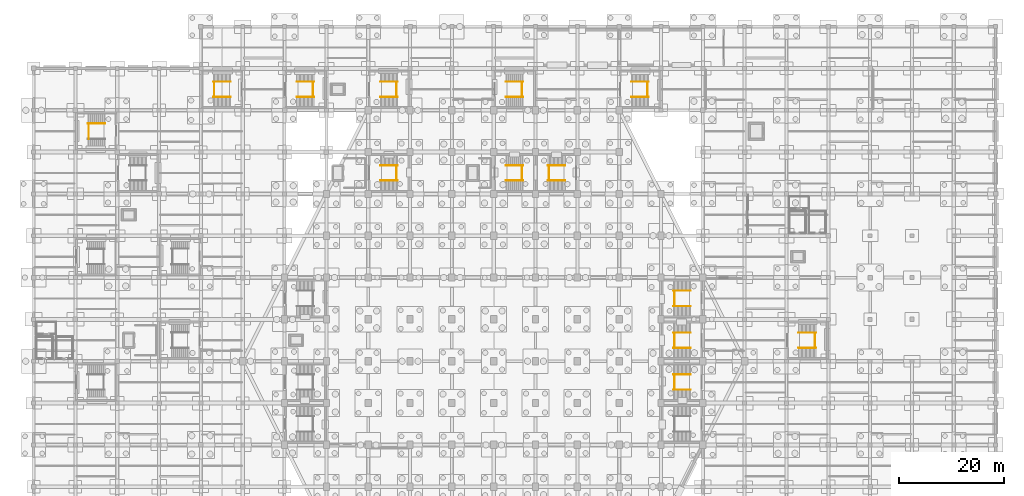
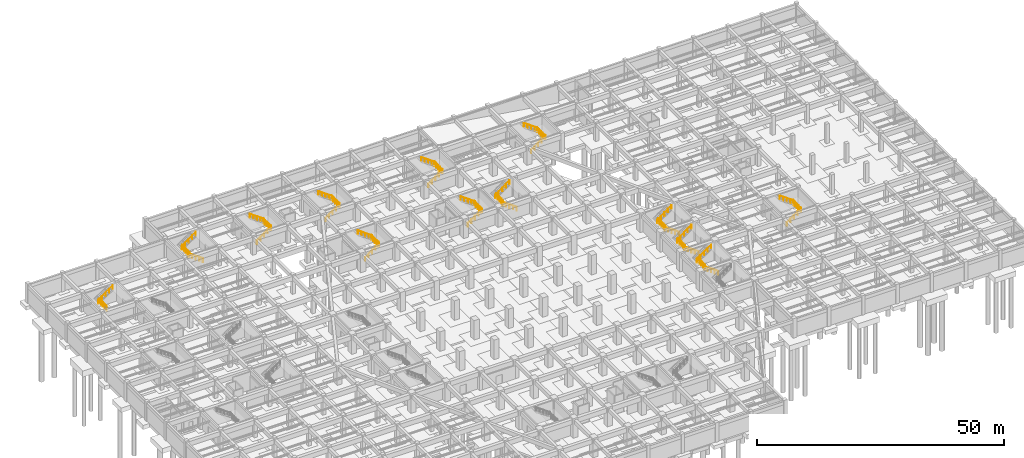
# One storey, part 35 of 36: 38 railings.
"""IFC4 building model written with IfcOpenShell, lengths in metres."""

import ifcopenshell
import ifcopenshell.guid

model = None  # the IFC model being written
_history = None  # IfcOwnerHistory: only IFC2X3 demands one
_inside = {}  # id of a spatial element -> (the spatial element, [elements in it])
_under = {}  # id of a project, library or spatial element -> (it, [spatial elements below it])
_declared = {}  # id of a project -> (the project, [libraries it declares])
_typed = {}  # id of a type object -> (the type object, [elements of that type])
_made_of = {}  # id of a material, layer set ... -> (it, [elements and type objects made of it])


def new_model(schema):
    """Start an empty IFC model of exactly this schema.

    Asked for "IFC4X3", IfcOpenShell would pick the latest addendum, in which some entities
    have other attributes; the version numbers below select the first issue.
    IFC2X3 requires an IfcOwnerHistory on every rooted entity: one is made here for all.
    """
    global model, _history
    if schema == "IFC4X3":
        model = ifcopenshell.file(schema_version=(4, 3, 0, 0))
    else:
        model = ifcopenshell.file(schema=schema)
    _inside.clear()
    _under.clear()
    _declared.clear()
    _typed.clear()
    _made_of.clear()
    _history = None
    if model.schema == "IFC2X3":
        org = make("IfcOrganization", Name="unknown")
        user = make(
            "IfcPersonAndOrganization",
            ThePerson=make("IfcPerson", FamilyName="unknown"),
            TheOrganization=org,
        )
        app = make(
            "IfcApplication",
            ApplicationDeveloper=org,
            Version="unknown",
            ApplicationFullName="unknown",
            ApplicationIdentifier="unknown",
        )
        _history = make(
            "IfcOwnerHistory",
            OwningUser=user,
            OwningApplication=app,
            ChangeAction="ADDED",
            CreationDate=0,
        )
    return model


def make(cls, **values):
    """One entity of the class cls with the attributes given. An attribute that is None is left unset."""
    return model.create_entity(
        cls, **{name: value for name, value in values.items() if value is not None}
    )


def rooted(cls, **values):
    """An entity with a GlobalId (a new one), such as an element, a storey or a relation."""
    return make(cls, GlobalId=ifcopenshell.guid.new(), OwnerHistory=_history, **values)


def si_unit(unit_type, name, prefix=None):
    """IfcSIUnit, for example si_unit("LENGTHUNIT", "METRE", prefix="MILLI")."""
    return make("IfcSIUnit", UnitType=unit_type, Prefix=prefix, Name=name)


def assignment(units):
    """IfcUnitAssignment: the units of a project."""
    return None if units is None else make("IfcUnitAssignment", Units=units)


def point(xyz):
    """IfcCartesianPoint."""
    return None if xyz is None else make("IfcCartesianPoint", Coordinates=xyz)


def direction(xyz):
    """IfcDirection."""
    return None if xyz is None else make("IfcDirection", DirectionRatios=xyz)


def frame(location, z_axis=None, x_axis=None):
    """IfcAxis2Placement3D, a coordinate frame: its origin and axes. An axis left out is left unset."""
    return make(
        "IfcAxis2Placement3D",
        Location=point(location),
        Axis=direction(z_axis),
        RefDirection=direction(x_axis),
    )


def frame_2d(location, x_axis=None):
    """IfcAxis2Placement2D, a coordinate frame in the plane: its origin and x axis."""
    return make(
        "IfcAxis2Placement2D", Location=point(location), RefDirection=direction(x_axis)
    )


def origin():
    """The frame at (0, 0, 0) with its axes left unset."""
    return frame((0.0, 0.0, 0.0))


def origin_2d():
    """The frame at (0, 0) in the plane with its x axis left unset."""
    return frame_2d((0.0, 0.0))


def place(relative_to, where):
    """IfcLocalPlacement: puts the frame where relative to a parent placement (None: the world)."""
    return make(
        "IfcLocalPlacement", PlacementRelTo=relative_to, RelativePlacement=where
    )


def context(
    kind, dimensions, precision=None, world=None, true_north=None, identifier=None
):
    """IfcGeometricRepresentationContext, for example the 3D "Model" context."""
    return make(
        "IfcGeometricRepresentationContext",
        ContextIdentifier=identifier,
        ContextType=kind,
        CoordinateSpaceDimension=dimensions,
        Precision=precision,
        WorldCoordinateSystem=world,
        TrueNorth=true_north,
    )


def subcontext(parent, identifier, kind, view, scale=None):
    """IfcGeometricRepresentationSubContext, for example "Body" below "Model"."""
    return make(
        "IfcGeometricRepresentationSubContext",
        ContextIdentifier=identifier,
        ContextType=kind,
        ParentContext=parent,
        TargetScale=scale,
        TargetView=view,
    )


def project(units=None, contexts=None):
    """IfcProject with its units and contexts."""
    return rooted(
        "IfcProject",
        Name="project",
        RepresentationContexts=contexts,
        UnitsInContext=assignment(units),
    )


def spatial(cls, under=None, at=None, **own):
    """A site, building, storey or space (cls), placed at a placement, below another one or the project."""
    s = rooted(cls, ObjectPlacement=at, **own)
    if under is not None:
        _under.setdefault(under.id(), (under, []))[1].append(s)
    return s


def profile(cls, at=None, kind="AREA", **sizes):
    """A parametric profile (cls). Its sizes go by their IFC names, for example OverallWidth=200.0."""
    return make(cls, ProfileType=kind, Position=at, **sizes)


def circle(**sizes):
    """IfcCircleProfileDef."""
    return profile("IfcCircleProfileDef", **sizes)


def extrude(swept, where, along, depth):
    """IfcExtrudedAreaSolid: the profile swept, set in the frame where, extruded along a direction by depth."""
    return make(
        "IfcExtrudedAreaSolid",
        SweptArea=swept,
        Position=where,
        ExtrudedDirection=direction(along),
        Depth=depth,
    )


def shape(context_of_items, identifier, shape_type, items):
    """IfcShapeRepresentation: the items that make up one representation, for example the "Body"."""
    return make(
        "IfcShapeRepresentation",
        ContextOfItems=context_of_items,
        RepresentationIdentifier=identifier,
        RepresentationType=shape_type,
        Items=items,
    )


def material(Name=None, Category=None):
    """IfcMaterial."""
    return make("IfcMaterial", Name=Name, Category=Category)


def made_of(thing, what):
    """Note that an element or type object is made of a material, layer set ...; save() writes the relation."""
    if what is not None:
        _made_of.setdefault(what.id(), (what, []))[1].append(thing)
    return thing


def type_object(cls, material=None, **own):
    """A type object (cls), such as IfcWallType, which elements share."""
    return made_of(rooted(cls, **own), material)


def element(
    cls,
    number,
    at=None,
    inside=None,
    cuts=None,
    type_object=None,
    material=None,
    context=None,
    identifier="Body",
    shape_type=None,
    held_by="IfcProductDefinitionShape",
    body=None,
    shapes=None,
    **own,
):
    """One element of the class cls, such as IfcWall. Its Tag is "e" and its number.

    at: its placement. inside: the storey or other place that contains it. cuts: it is an
    opening in that element (IfcRelVoidsElement). A single representation is given by context,
    identifier, shape_type and body (its items); several are given by shapes. held_by: the class
    of the entity that holds the representations. save() writes the other relations.
    """
    e = rooted(cls, Tag="e%d" % number, ObjectPlacement=at, **own)
    if body is not None:
        shapes = [shape(context, identifier, shape_type, body)]
    if shapes is not None:
        e.Representation = make(held_by, Representations=shapes)
    if inside is not None:
        _inside.setdefault(inside.id(), (inside, []))[1].append(e)
    if cuts is not None:
        rooted(
            "IfcRelVoidsElement", RelatingBuildingElement=cuts, RelatedOpeningElement=e
        )
    if type_object is not None:
        _typed.setdefault(type_object.id(), (type_object, []))[1].append(e)
    return made_of(e, material)


def aggregate(whole, parts):
    """IfcRelAggregates: a whole, such as a stair, and the parts it consists of."""
    return rooted("IfcRelAggregates", RelatingObject=whole, RelatedObjects=parts)


def save(model, path):
    """Write the relations noted so far, then the file.

    IfcRelAggregates (storeys below a building ...), IfcRelContainedInSpatialStructure (elements
    in a storey), IfcRelDefinesByType, IfcRelAssociatesMaterial and IfcRelDeclares: one each for
    every whole, place, type object, material and project.
    """
    for whole, parts in _under.values():
        aggregate(whole, parts)
    for where, things in _inside.values():
        rooted(
            "IfcRelContainedInSpatialStructure",
            RelatedElements=things,
            RelatingStructure=where,
        )
    for kind, things in _typed.values():
        rooted("IfcRelDefinesByType", RelatedObjects=things, RelatingType=kind)
    for what, things in _made_of.values():
        rooted("IfcRelAssociatesMaterial", RelatedObjects=things, RelatingMaterial=what)
    for by, libraries in _declared.values():
        rooted("IfcRelDeclares", RelatingContext=by, RelatedDefinitions=libraries)
    model.write(path)


model = new_model("IFC4")

# Units and contexts
model_context = context("Model", 3, precision=1e-05, world=origin(), true_north=direction((0.0, 1.0)))
body_context = subcontext(model_context, "Body", "Model", "MODEL_VIEW")
ifc_project = project(units=[si_unit("LENGTHUNIT", "METRE"), si_unit("AREAUNIT", "SQUARE_METRE"), si_unit("VOLUMEUNIT", "CUBIC_METRE"), si_unit("PLANEANGLEUNIT", "RADIAN"), si_unit("MASSUNIT", "GRAM", prefix="KILO")], contexts=[model_context])

# Site, building, storey
site_placement = place(None, origin())
site = spatial("IfcSite", under=ifc_project, at=site_placement, CompositionType="ELEMENT")
building_placement = place(site_placement, origin())
building = spatial("IfcBuilding", under=site, at=building_placement, Name="Tazarka Park Arena", CompositionType="ELEMENT")
storey_placement = place(building_placement, frame((0.0, 0.0, -4.800048828125)))
storey = spatial("IfcBuildingStorey", under=building, at=storey_placement, Name="B1", CompositionType="ELEMENT", Elevation=-4.800048828125)

# Railings
ifc_material_1 = material(Name="Brushed architectural stainless steel", Category="steel")
railing_type_1 = type_object("IfcRailingType", Name="HR-01", PredefinedType="HANDRAIL", material=ifc_material_1)
railing_1_placement = place(storey_placement, frame((37.68505859375, 114.550048828125, 0.0)))
element("IfcRailing", 1, at=railing_1_placement, inside=storey, type_object=railing_type_1, Name="Stair Handrail ST04-B1-F1", PredefinedType="HANDRAIL", context=body_context, shape_type="SweptSolid", body=[
    extrude(circle(Radius=0.02392578125, at=origin_2d()), frame((0.0, 0.0, 0.89599609375), z_axis=(-0.809980229442, 0.0, 0.586457183359), x_axis=(0.0, -1.0, 0.0)), (0.0, 0.0, 1.0), 4.092529296875),
    extrude(circle(Radius=0.02099609375, at=origin_2d()), origin(), (0.0, 0.0, 1.0), 0.871826171875),
    extrude(circle(Radius=0.02099609375, at=origin_2d()), frame((-0.82861328125, 0.0, 0.60009765625)), (0.0, 0.0, 1.0), 0.871826171875),
    extrude(circle(Radius=0.02099609375, at=origin_2d()), frame((-1.657470703125, 0.0, 1.2001953125)), (0.0, 0.0, 1.0), 0.871826171875),
    extrude(circle(Radius=0.02099609375, at=origin_2d()), frame((-2.486328125, 0.0, 1.800048828125)), (0.0, 0.0, 1.0), 0.871826171875),
    extrude(circle(Radius=0.02099609375, at=origin_2d()), frame((-3.31494140625, 0.0, 2.400146484375)), (0.0, 0.0, 1.0), 0.871826171875),
])
railing_2_placement = place(storey_placement, frame((34.3701171875, 117.449951171875, 2.400146484375)))
element("IfcRailing", 2, at=railing_2_placement, inside=storey, type_object=railing_type_1, Name="Stair Handrail ST04-B1-F2", PredefinedType="HANDRAIL", context=body_context, shape_type="SweptSolid", body=[
    extrude(circle(Radius=0.02392578125, at=origin_2d()), frame((0.0, 0.0, 0.89599609375), z_axis=(0.810008566192, 0.0, 0.586418044312), x_axis=(0.0, 1.0, 0.0)), (0.0, 0.0, 1.0), 4.092529296875),
    extrude(circle(Radius=0.02099609375, at=origin_2d()), origin(), (0.0, 0.0, 1.0), 0.871826171875),
    extrude(circle(Radius=0.02099609375, at=origin_2d()), frame((0.82861328125, 0.0, 0.60009765625)), (0.0, 0.0, 1.0), 0.871826171875),
    extrude(circle(Radius=0.02099609375, at=origin_2d()), frame((1.657470703125, 0.0, 1.199951171875)), (0.0, 0.0, 1.0), 0.871826171875),
    extrude(circle(Radius=0.02099609375, at=origin_2d()), frame((2.486328125, 0.0, 1.7998046875)), (0.0, 0.0, 1.0), 0.871826171875),
    extrude(circle(Radius=0.02099609375, at=origin_2d()), frame((3.31494140625, 0.0, 2.39990234375)), (0.0, 0.0, 1.0), 0.871826171875),
])
railing_3_placement = place(storey_placement, frame((50.31494140625, 114.550048828125, 0.0)))
element("IfcRailing", 3, at=railing_3_placement, inside=storey, type_object=railing_type_1, Name="Stair Handrail ST05-B1-F1", PredefinedType="HANDRAIL", context=body_context, shape_type="SweptSolid", body=[
    extrude(circle(Radius=0.02392578125, at=origin_2d()), frame((0.0, 0.0, 0.89599609375), z_axis=(0.809980229442, 0.0, 0.586457183359), x_axis=(0.0, 1.0, 0.0)), (0.0, 0.0, 1.0), 4.092529296875),
    extrude(circle(Radius=0.02099609375, at=origin_2d()), origin(), (0.0, 0.0, 1.0), 0.871826171875),
    extrude(circle(Radius=0.02099609375, at=origin_2d()), frame((0.82861328125, 0.0, 0.60009765625)), (0.0, 0.0, 1.0), 0.871826171875),
    extrude(circle(Radius=0.02099609375, at=origin_2d()), frame((1.657470703125, 0.0, 1.2001953125)), (0.0, 0.0, 1.0), 0.871826171875),
    extrude(circle(Radius=0.02099609375, at=origin_2d()), frame((2.486328125, 0.0, 1.800048828125)), (0.0, 0.0, 1.0), 0.871826171875),
    extrude(circle(Radius=0.02099609375, at=origin_2d()), frame((3.31494140625, 0.0, 2.400146484375)), (0.0, 0.0, 1.0), 0.871826171875),
])
railing_4_placement = place(storey_placement, frame((53.6298828125, 117.449951171875, 2.400146484375)))
element("IfcRailing", 4, at=railing_4_placement, inside=storey, type_object=railing_type_1, Name="Stair Handrail ST05-B1-F2", PredefinedType="HANDRAIL", context=body_context, shape_type="SweptSolid", body=[
    extrude(circle(Radius=0.02392578125, at=origin_2d()), frame((0.0, 0.0, 0.89599609375), z_axis=(-0.810008566192, 0.0, 0.586418044312), x_axis=(0.0, -1.0, 0.0)), (0.0, 0.0, 1.0), 4.092529296875),
    extrude(circle(Radius=0.02099609375, at=origin_2d()), origin(), (0.0, 0.0, 1.0), 0.871826171875),
    extrude(circle(Radius=0.02099609375, at=origin_2d()), frame((-0.82861328125, 0.0, 0.60009765625)), (0.0, 0.0, 1.0), 0.871826171875),
    extrude(circle(Radius=0.02099609375, at=origin_2d()), frame((-1.657470703125, 0.0, 1.199951171875)), (0.0, 0.0, 1.0), 0.871826171875),
    extrude(circle(Radius=0.02099609375, at=origin_2d()), frame((-2.486328125, 0.0, 1.7998046875)), (0.0, 0.0, 1.0), 0.871826171875),
    extrude(circle(Radius=0.02099609375, at=origin_2d()), frame((-3.31494140625, 0.0, 2.39990234375)), (0.0, 0.0, 1.0), 0.871826171875),
])
railing_5_placement = place(storey_placement, frame((66.31494140625, 114.550048828125, 0.0)))
element("IfcRailing", 5, at=railing_5_placement, inside=storey, type_object=railing_type_1, Name="Stair Handrail ST06-B1-F1", PredefinedType="HANDRAIL", context=body_context, shape_type="SweptSolid", body=[
    extrude(circle(Radius=0.02392578125, at=origin_2d()), frame((0.0, 0.0, 0.89599609375), z_axis=(0.809980229442, 0.0, 0.586457183359), x_axis=(0.0, 1.0, 0.0)), (0.0, 0.0, 1.0), 4.092529296875),
    extrude(circle(Radius=0.02099609375, at=origin_2d()), origin(), (0.0, 0.0, 1.0), 0.871826171875),
    extrude(circle(Radius=0.02099609375, at=origin_2d()), frame((0.82861328125, 0.0, 0.60009765625)), (0.0, 0.0, 1.0), 0.871826171875),
    extrude(circle(Radius=0.02099609375, at=origin_2d()), frame((1.657470703125, 0.0, 1.2001953125)), (0.0, 0.0, 1.0), 0.871826171875),
    extrude(circle(Radius=0.02099609375, at=origin_2d()), frame((2.486328125, 0.0, 1.800048828125)), (0.0, 0.0, 1.0), 0.871826171875),
    extrude(circle(Radius=0.02099609375, at=origin_2d()), frame((3.31494140625, 0.0, 2.400146484375)), (0.0, 0.0, 1.0), 0.871826171875),
])
railing_6_placement = place(storey_placement, frame((69.6298828125, 117.449951171875, 2.400146484375)))
element("IfcRailing", 6, at=railing_6_placement, inside=storey, type_object=railing_type_1, Name="Stair Handrail ST06-B1-F2", PredefinedType="HANDRAIL", context=body_context, shape_type="SweptSolid", body=[
    extrude(circle(Radius=0.02392578125, at=origin_2d()), frame((0.0, 0.0, 0.89599609375), z_axis=(-0.810008566192, 0.0, 0.586418044312), x_axis=(0.0, -1.0, 0.0)), (0.0, 0.0, 1.0), 4.092529296875),
    extrude(circle(Radius=0.02099609375, at=origin_2d()), origin(), (0.0, 0.0, 1.0), 0.871826171875),
    extrude(circle(Radius=0.02099609375, at=origin_2d()), frame((-0.82861328125, 0.0, 0.60009765625)), (0.0, 0.0, 1.0), 0.871826171875),
    extrude(circle(Radius=0.02099609375, at=origin_2d()), frame((-1.657470703125, 0.0, 1.199951171875)), (0.0, 0.0, 1.0), 0.871826171875),
    extrude(circle(Radius=0.02099609375, at=origin_2d()), frame((-2.486328125, 0.0, 1.7998046875)), (0.0, 0.0, 1.0), 0.871826171875),
    extrude(circle(Radius=0.02099609375, at=origin_2d()), frame((-3.31494140625, 0.0, 2.39990234375)), (0.0, 0.0, 1.0), 0.871826171875),
])
railing_7_placement = place(storey_placement, frame((90.31494140625, 114.550048828125, 0.0)))
element("IfcRailing", 7, at=railing_7_placement, inside=storey, type_object=railing_type_1, Name="Stair Handrail ST07-B1-F1", PredefinedType="HANDRAIL", context=body_context, shape_type="SweptSolid", body=[
    extrude(circle(Radius=0.02392578125, at=origin_2d()), frame((0.0, 0.0, 0.89599609375), z_axis=(0.809980229442, 0.0, 0.586457183359), x_axis=(0.0, 1.0, 0.0)), (0.0, 0.0, 1.0), 4.092529296875),
    extrude(circle(Radius=0.02099609375, at=origin_2d()), origin(), (0.0, 0.0, 1.0), 0.871826171875),
    extrude(circle(Radius=0.02099609375, at=origin_2d()), frame((0.82861328125, 0.0, 0.60009765625)), (0.0, 0.0, 1.0), 0.871826171875),
    extrude(circle(Radius=0.02099609375, at=origin_2d()), frame((1.657470703125, 0.0, 1.2001953125)), (0.0, 0.0, 1.0), 0.871826171875),
    extrude(circle(Radius=0.02099609375, at=origin_2d()), frame((2.486328125, 0.0, 1.800048828125)), (0.0, 0.0, 1.0), 0.871826171875),
    extrude(circle(Radius=0.02099609375, at=origin_2d()), frame((3.31494140625, 0.0, 2.400146484375)), (0.0, 0.0, 1.0), 0.871826171875),
])
railing_8_placement = place(storey_placement, frame((93.6298828125, 117.449951171875, 2.400146484375)))
element("IfcRailing", 8, at=railing_8_placement, inside=storey, type_object=railing_type_1, Name="Stair Handrail ST07-B1-F2", PredefinedType="HANDRAIL", context=body_context, shape_type="SweptSolid", body=[
    extrude(circle(Radius=0.02392578125, at=origin_2d()), frame((0.0, 0.0, 0.89599609375), z_axis=(-0.810008566192, 0.0, 0.586418044312), x_axis=(0.0, -1.0, 0.0)), (0.0, 0.0, 1.0), 4.092529296875),
    extrude(circle(Radius=0.02099609375, at=origin_2d()), origin(), (0.0, 0.0, 1.0), 0.871826171875),
    extrude(circle(Radius=0.02099609375, at=origin_2d()), frame((-0.82861328125, 0.0, 0.60009765625)), (0.0, 0.0, 1.0), 0.871826171875),
    extrude(circle(Radius=0.02099609375, at=origin_2d()), frame((-1.657470703125, 0.0, 1.199951171875)), (0.0, 0.0, 1.0), 0.871826171875),
    extrude(circle(Radius=0.02099609375, at=origin_2d()), frame((-2.486328125, 0.0, 1.7998046875)), (0.0, 0.0, 1.0), 0.871826171875),
    extrude(circle(Radius=0.02099609375, at=origin_2d()), frame((-3.31494140625, 0.0, 2.39990234375)), (0.0, 0.0, 1.0), 0.871826171875),
])
railing_9_placement = place(storey_placement, frame((114.31494140625, 114.550048828125, 0.0)))
element("IfcRailing", 9, at=railing_9_placement, inside=storey, type_object=railing_type_1, Name="Stair Handrail ST08-B1-F1", PredefinedType="HANDRAIL", context=body_context, shape_type="SweptSolid", body=[
    extrude(circle(Radius=0.02392578125, at=origin_2d()), frame((0.0, 0.0, 0.89599609375), z_axis=(0.809980229442, 0.0, 0.586457183359), x_axis=(0.0, 1.0, 0.0)), (0.0, 0.0, 1.0), 4.092529296875),
    extrude(circle(Radius=0.02099609375, at=origin_2d()), origin(), (0.0, 0.0, 1.0), 0.871826171875),
    extrude(circle(Radius=0.02099609375, at=origin_2d()), frame((0.82861328125, 0.0, 0.60009765625)), (0.0, 0.0, 1.0), 0.871826171875),
    extrude(circle(Radius=0.02099609375, at=origin_2d()), frame((1.657470703125, 0.0, 1.2001953125)), (0.0, 0.0, 1.0), 0.871826171875),
    extrude(circle(Radius=0.02099609375, at=origin_2d()), frame((2.486328125, 0.0, 1.800048828125)), (0.0, 0.0, 1.0), 0.871826171875),
    extrude(circle(Radius=0.02099609375, at=origin_2d()), frame((3.31494140625, 0.0, 2.400146484375)), (0.0, 0.0, 1.0), 0.871826171875),
])
railing_10_placement = place(storey_placement, frame((117.6298828125, 117.449951171875, 2.400146484375)))
element("IfcRailing", 10, at=railing_10_placement, inside=storey, type_object=railing_type_1, Name="Stair Handrail ST08-B1-F2", PredefinedType="HANDRAIL", context=body_context, shape_type="SweptSolid", body=[
    extrude(circle(Radius=0.02392578125, at=origin_2d()), frame((0.0, 0.0, 0.89599609375), z_axis=(-0.810008566192, 0.0, 0.586418044312), x_axis=(0.0, -1.0, 0.0)), (0.0, 0.0, 1.0), 4.092529296875),
    extrude(circle(Radius=0.02099609375, at=origin_2d()), origin(), (0.0, 0.0, 1.0), 0.871826171875),
    extrude(circle(Radius=0.02099609375, at=origin_2d()), frame((-0.82861328125, 0.0, 0.60009765625)), (0.0, 0.0, 1.0), 0.871826171875),
    extrude(circle(Radius=0.02099609375, at=origin_2d()), frame((-1.657470703125, 0.0, 1.199951171875)), (0.0, 0.0, 1.0), 0.871826171875),
    extrude(circle(Radius=0.02099609375, at=origin_2d()), frame((-2.486328125, 0.0, 1.7998046875)), (0.0, 0.0, 1.0), 0.871826171875),
    extrude(circle(Radius=0.02099609375, at=origin_2d()), frame((-3.31494140625, 0.0, 2.39990234375)), (0.0, 0.0, 1.0), 0.871826171875),
])
railing_11_placement = place(storey_placement, frame((101.68505859375, 98.550048828125, 0.0)))
element("IfcRailing", 11, at=railing_11_placement, inside=storey, type_object=railing_type_1, Name="Stair Handrail ST10-B1-F1", PredefinedType="HANDRAIL", context=body_context, shape_type="SweptSolid", body=[
    extrude(circle(Radius=0.02392578125, at=origin_2d()), frame((0.0, 0.0, 0.89599609375), z_axis=(-0.809980229442, 0.0, 0.586457183359), x_axis=(0.0, -1.0, 0.0)), (0.0, 0.0, 1.0), 4.092529296875),
    extrude(circle(Radius=0.02099609375, at=origin_2d()), origin(), (0.0, 0.0, 1.0), 0.871826171875),
    extrude(circle(Radius=0.02099609375, at=origin_2d()), frame((-0.82861328125, 0.0, 0.60009765625)), (0.0, 0.0, 1.0), 0.871826171875),
    extrude(circle(Radius=0.02099609375, at=origin_2d()), frame((-1.657470703125, 0.0, 1.2001953125)), (0.0, 0.0, 1.0), 0.871826171875),
    extrude(circle(Radius=0.02099609375, at=origin_2d()), frame((-2.486328125, 0.0, 1.800048828125)), (0.0, 0.0, 1.0), 0.871826171875),
    extrude(circle(Radius=0.02099609375, at=origin_2d()), frame((-3.31494140625, 0.0, 2.400146484375)), (0.0, 0.0, 1.0), 0.871826171875),
])
railing_12_placement = place(storey_placement, frame((98.3701171875, 101.449951171875, 2.400146484375)))
element("IfcRailing", 12, at=railing_12_placement, inside=storey, type_object=railing_type_1, Name="Stair Handrail ST10-B1-F2", PredefinedType="HANDRAIL", context=body_context, shape_type="SweptSolid", body=[
    extrude(circle(Radius=0.02392578125, at=origin_2d()), frame((0.0, 0.0, 0.89599609375), z_axis=(0.810008566192, 0.0, 0.586418044312), x_axis=(0.0, 1.0, 0.0)), (0.0, 0.0, 1.0), 4.092529296875),
    extrude(circle(Radius=0.02099609375, at=origin_2d()), origin(), (0.0, 0.0, 1.0), 0.871826171875),
    extrude(circle(Radius=0.02099609375, at=origin_2d()), frame((0.82861328125, 0.0, 0.60009765625)), (0.0, 0.0, 1.0), 0.871826171875),
    extrude(circle(Radius=0.02099609375, at=origin_2d()), frame((1.657470703125, 0.0, 1.199951171875)), (0.0, 0.0, 1.0), 0.871826171875),
    extrude(circle(Radius=0.02099609375, at=origin_2d()), frame((2.486328125, 0.0, 1.7998046875)), (0.0, 0.0, 1.0), 0.871826171875),
    extrude(circle(Radius=0.02099609375, at=origin_2d()), frame((3.31494140625, 0.0, 2.39990234375)), (0.0, 0.0, 1.0), 0.871826171875),
])
railing_13_placement = place(storey_placement, frame((125.68505859375, 58.550048828125, 0.0)))
element("IfcRailing", 13, at=railing_13_placement, inside=storey, type_object=railing_type_1, Name="Stair Handrail ST12-B1-F1", PredefinedType="HANDRAIL", context=body_context, shape_type="SweptSolid", body=[
    extrude(circle(Radius=0.02392578125, at=origin_2d()), frame((0.0, 0.0, 0.89599609375), z_axis=(-0.809980229442, 0.0, 0.586457183359), x_axis=(0.0, -1.0, 0.0)), (0.0, 0.0, 1.0), 4.092529296875),
    extrude(circle(Radius=0.02099609375, at=origin_2d()), origin(), (0.0, 0.0, 1.0), 0.871826171875),
    extrude(circle(Radius=0.02099609375, at=origin_2d()), frame((-0.82861328125, 0.0, 0.60009765625)), (0.0, 0.0, 1.0), 0.871826171875),
    extrude(circle(Radius=0.02099609375, at=origin_2d()), frame((-1.657470703125, 0.0, 1.2001953125)), (0.0, 0.0, 1.0), 0.871826171875),
    extrude(circle(Radius=0.02099609375, at=origin_2d()), frame((-2.486328125, 0.0, 1.800048828125)), (0.0, 0.0, 1.0), 0.871826171875),
    extrude(circle(Radius=0.02099609375, at=origin_2d()), frame((-3.31494140625, 0.0, 2.400146484375)), (0.0, 0.0, 1.0), 0.871826171875),
])
railing_14_placement = place(storey_placement, frame((122.3701171875, 61.449951171875, 2.400146484375)))
element("IfcRailing", 14, at=railing_14_placement, inside=storey, type_object=railing_type_1, Name="Stair Handrail ST12-B1-F2", PredefinedType="HANDRAIL", context=body_context, shape_type="SweptSolid", body=[
    extrude(circle(Radius=0.02392578125, at=origin_2d()), frame((0.0, 0.0, 0.89599609375), z_axis=(0.810008566192, 0.0, 0.586418044312), x_axis=(0.0, 1.0, 0.0)), (0.0, 0.0, 1.0), 4.092529296875),
    extrude(circle(Radius=0.02099609375, at=origin_2d()), origin(), (0.0, 0.0, 1.0), 0.871826171875),
    extrude(circle(Radius=0.02099609375, at=origin_2d()), frame((0.82861328125, 0.0, 0.60009765625)), (0.0, 0.0, 1.0), 0.871826171875),
    extrude(circle(Radius=0.02099609375, at=origin_2d()), frame((1.657470703125, 0.0, 1.199951171875)), (0.0, 0.0, 1.0), 0.871826171875),
    extrude(circle(Radius=0.02099609375, at=origin_2d()), frame((2.486328125, 0.0, 1.7998046875)), (0.0, 0.0, 1.0), 0.871826171875),
    extrude(circle(Radius=0.02099609375, at=origin_2d()), frame((3.31494140625, 0.0, 2.39990234375)), (0.0, 0.0, 1.0), 0.871826171875),
])
railing_15_placement = place(storey_placement, frame((66.31494140625, 98.550048828125, 0.0)))
element("IfcRailing", 15, at=railing_15_placement, inside=storey, type_object=railing_type_1, Name="Stair Handrail ST14-B1-F1", PredefinedType="HANDRAIL", context=body_context, shape_type="SweptSolid", body=[
    extrude(circle(Radius=0.02392578125, at=origin_2d()), frame((0.0, 0.0, 0.89599609375), z_axis=(0.809980229442, 0.0, 0.586457183359), x_axis=(0.0, 1.0, 0.0)), (0.0, 0.0, 1.0), 4.092529296875),
    extrude(circle(Radius=0.02099609375, at=origin_2d()), origin(), (0.0, 0.0, 1.0), 0.871826171875),
    extrude(circle(Radius=0.02099609375, at=origin_2d()), frame((0.82861328125, 0.0, 0.60009765625)), (0.0, 0.0, 1.0), 0.871826171875),
    extrude(circle(Radius=0.02099609375, at=origin_2d()), frame((1.657470703125, 0.0, 1.2001953125)), (0.0, 0.0, 1.0), 0.871826171875),
    extrude(circle(Radius=0.02099609375, at=origin_2d()), frame((2.486328125, 0.0, 1.800048828125)), (0.0, 0.0, 1.0), 0.871826171875),
    extrude(circle(Radius=0.02099609375, at=origin_2d()), frame((3.31494140625, 0.0, 2.400146484375)), (0.0, 0.0, 1.0), 0.871826171875),
])
railing_16_placement = place(storey_placement, frame((69.6298828125, 101.449951171875, 2.400146484375)))
element("IfcRailing", 16, at=railing_16_placement, inside=storey, type_object=railing_type_1, Name="Stair Handrail ST14-B1-F2", PredefinedType="HANDRAIL", context=body_context, shape_type="SweptSolid", body=[
    extrude(circle(Radius=0.02392578125, at=origin_2d()), frame((0.0, 0.0, 0.89599609375), z_axis=(-0.810008566192, 0.0, 0.586418044312), x_axis=(0.0, -1.0, 0.0)), (0.0, 0.0, 1.0), 4.092529296875),
    extrude(circle(Radius=0.02099609375, at=origin_2d()), origin(), (0.0, 0.0, 1.0), 0.871826171875),
    extrude(circle(Radius=0.02099609375, at=origin_2d()), frame((-0.82861328125, 0.0, 0.60009765625)), (0.0, 0.0, 1.0), 0.871826171875),
    extrude(circle(Radius=0.02099609375, at=origin_2d()), frame((-1.657470703125, 0.0, 1.199951171875)), (0.0, 0.0, 1.0), 0.871826171875),
    extrude(circle(Radius=0.02099609375, at=origin_2d()), frame((-2.486328125, 0.0, 1.7998046875)), (0.0, 0.0, 1.0), 0.871826171875),
    extrude(circle(Radius=0.02099609375, at=origin_2d()), frame((-3.31494140625, 0.0, 2.39990234375)), (0.0, 0.0, 1.0), 0.871826171875),
])
railing_17_placement = place(storey_placement, frame((90.31494140625, 98.550048828125, 0.0)))
element("IfcRailing", 17, at=railing_17_placement, inside=storey, type_object=railing_type_1, Name="Stair Handrail ST15-B1-F1", PredefinedType="HANDRAIL", context=body_context, shape_type="SweptSolid", body=[
    extrude(circle(Radius=0.02392578125, at=origin_2d()), frame((0.0, 0.0, 0.89599609375), z_axis=(0.809980229442, 0.0, 0.586457183359), x_axis=(0.0, 1.0, 0.0)), (0.0, 0.0, 1.0), 4.092529296875),
    extrude(circle(Radius=0.02099609375, at=origin_2d()), origin(), (0.0, 0.0, 1.0), 0.871826171875),
    extrude(circle(Radius=0.02099609375, at=origin_2d()), frame((0.82861328125, 0.0, 0.60009765625)), (0.0, 0.0, 1.0), 0.871826171875),
    extrude(circle(Radius=0.02099609375, at=origin_2d()), frame((1.657470703125, 0.0, 1.2001953125)), (0.0, 0.0, 1.0), 0.871826171875),
    extrude(circle(Radius=0.02099609375, at=origin_2d()), frame((2.486328125, 0.0, 1.800048828125)), (0.0, 0.0, 1.0), 0.871826171875),
    extrude(circle(Radius=0.02099609375, at=origin_2d()), frame((3.31494140625, 0.0, 2.400146484375)), (0.0, 0.0, 1.0), 0.871826171875),
])
railing_18_placement = place(storey_placement, frame((93.6298828125, 101.449951171875, 2.400146484375)))
element("IfcRailing", 18, at=railing_18_placement, inside=storey, type_object=railing_type_1, Name="Stair Handrail ST15-B1-F2", PredefinedType="HANDRAIL", context=body_context, shape_type="SweptSolid", body=[
    extrude(circle(Radius=0.02392578125, at=origin_2d()), frame((0.0, 0.0, 0.89599609375), z_axis=(-0.810008566192, 0.0, 0.586418044312), x_axis=(0.0, -1.0, 0.0)), (0.0, 0.0, 1.0), 4.092529296875),
    extrude(circle(Radius=0.02099609375, at=origin_2d()), origin(), (0.0, 0.0, 1.0), 0.871826171875),
    extrude(circle(Radius=0.02099609375, at=origin_2d()), frame((-0.82861328125, 0.0, 0.60009765625)), (0.0, 0.0, 1.0), 0.871826171875),
    extrude(circle(Radius=0.02099609375, at=origin_2d()), frame((-1.657470703125, 0.0, 1.199951171875)), (0.0, 0.0, 1.0), 0.871826171875),
    extrude(circle(Radius=0.02099609375, at=origin_2d()), frame((-2.486328125, 0.0, 1.7998046875)), (0.0, 0.0, 1.0), 0.871826171875),
    extrude(circle(Radius=0.02099609375, at=origin_2d()), frame((-3.31494140625, 0.0, 2.39990234375)), (0.0, 0.0, 1.0), 0.871826171875),
])
railing_19_placement = place(storey_placement, frame((125.68505859375, 66.550048828125, 0.0)))
element("IfcRailing", 19, at=railing_19_placement, inside=storey, type_object=railing_type_1, Name="Stair Handrail ST16-B1-F1", PredefinedType="HANDRAIL", context=body_context, shape_type="SweptSolid", body=[
    extrude(circle(Radius=0.02392578125, at=origin_2d()), frame((0.0, 0.0, 0.89599609375), z_axis=(-0.809980229442, 0.0, 0.586457183359), x_axis=(0.0, -1.0, 0.0)), (0.0, 0.0, 1.0), 4.092529296875),
    extrude(circle(Radius=0.02099609375, at=origin_2d()), origin(), (0.0, 0.0, 1.0), 0.871826171875),
    extrude(circle(Radius=0.02099609375, at=origin_2d()), frame((-0.82861328125, 0.0, 0.60009765625)), (0.0, 0.0, 1.0), 0.871826171875),
    extrude(circle(Radius=0.02099609375, at=origin_2d()), frame((-1.657470703125, 0.0, 1.2001953125)), (0.0, 0.0, 1.0), 0.871826171875),
    extrude(circle(Radius=0.02099609375, at=origin_2d()), frame((-2.486328125, 0.0, 1.800048828125)), (0.0, 0.0, 1.0), 0.871826171875),
    extrude(circle(Radius=0.02099609375, at=origin_2d()), frame((-3.31494140625, 0.0, 2.400146484375)), (0.0, 0.0, 1.0), 0.871826171875),
])
railing_20_placement = place(storey_placement, frame((122.3701171875, 69.449951171875, 2.400146484375)))
element("IfcRailing", 20, at=railing_20_placement, inside=storey, type_object=railing_type_1, Name="Stair Handrail ST16-B1-F2", PredefinedType="HANDRAIL", context=body_context, shape_type="SweptSolid", body=[
    extrude(circle(Radius=0.02392578125, at=origin_2d()), frame((0.0, 0.0, 0.89599609375), z_axis=(0.810008566192, 0.0, 0.586418044312), x_axis=(0.0, 1.0, 0.0)), (0.0, 0.0, 1.0), 4.092529296875),
    extrude(circle(Radius=0.02099609375, at=origin_2d()), origin(), (0.0, 0.0, 1.0), 0.871826171875),
    extrude(circle(Radius=0.02099609375, at=origin_2d()), frame((0.82861328125, 0.0, 0.60009765625)), (0.0, 0.0, 1.0), 0.871826171875),
    extrude(circle(Radius=0.02099609375, at=origin_2d()), frame((1.657470703125, 0.0, 1.199951171875)), (0.0, 0.0, 1.0), 0.871826171875),
    extrude(circle(Radius=0.02099609375, at=origin_2d()), frame((2.486328125, 0.0, 1.7998046875)), (0.0, 0.0, 1.0), 0.871826171875),
    extrude(circle(Radius=0.02099609375, at=origin_2d()), frame((3.31494140625, 0.0, 2.39990234375)), (0.0, 0.0, 1.0), 0.871826171875),
])
railing_21_placement = place(storey_placement, frame((146.31494140625, 66.550048828125, 0.0)))
element("IfcRailing", 21, at=railing_21_placement, inside=storey, type_object=railing_type_1, Name="Stair Handrail ST18-B1-F1", PredefinedType="HANDRAIL", context=body_context, shape_type="SweptSolid", body=[
    extrude(circle(Radius=0.02392578125, at=origin_2d()), frame((0.0, 0.0, 0.89599609375), z_axis=(0.809980229442, 0.0, 0.586457183359), x_axis=(0.0, 1.0, 0.0)), (0.0, 0.0, 1.0), 4.092529296875),
    extrude(circle(Radius=0.02099609375, at=origin_2d()), origin(), (0.0, 0.0, 1.0), 0.871826171875),
    extrude(circle(Radius=0.02099609375, at=origin_2d()), frame((0.82861328125, 0.0, 0.60009765625)), (0.0, 0.0, 1.0), 0.871826171875),
    extrude(circle(Radius=0.02099609375, at=origin_2d()), frame((1.657470703125, 0.0, 1.2001953125)), (0.0, 0.0, 1.0), 0.871826171875),
    extrude(circle(Radius=0.02099609375, at=origin_2d()), frame((2.486328125, 0.0, 1.800048828125)), (0.0, 0.0, 1.0), 0.871826171875),
    extrude(circle(Radius=0.02099609375, at=origin_2d()), frame((3.31494140625, 0.0, 2.400146484375)), (0.0, 0.0, 1.0), 0.871826171875),
])
railing_22_placement = place(storey_placement, frame((149.6298828125, 69.449951171875, 2.400146484375)))
element("IfcRailing", 22, at=railing_22_placement, inside=storey, type_object=railing_type_1, Name="Stair Handrail ST18-B1-F2", PredefinedType="HANDRAIL", context=body_context, shape_type="SweptSolid", body=[
    extrude(circle(Radius=0.02392578125, at=origin_2d()), frame((0.0, 0.0, 0.89599609375), z_axis=(-0.810008566192, 0.0, 0.586418044312), x_axis=(0.0, -1.0, 0.0)), (0.0, 0.0, 1.0), 4.092529296875),
    extrude(circle(Radius=0.02099609375, at=origin_2d()), origin(), (0.0, 0.0, 1.0), 0.871826171875),
    extrude(circle(Radius=0.02099609375, at=origin_2d()), frame((-0.82861328125, 0.0, 0.60009765625)), (0.0, 0.0, 1.0), 0.871826171875),
    extrude(circle(Radius=0.02099609375, at=origin_2d()), frame((-1.657470703125, 0.0, 1.199951171875)), (0.0, 0.0, 1.0), 0.871826171875),
    extrude(circle(Radius=0.02099609375, at=origin_2d()), frame((-2.486328125, 0.0, 1.7998046875)), (0.0, 0.0, 1.0), 0.871826171875),
    extrude(circle(Radius=0.02099609375, at=origin_2d()), frame((-3.31494140625, 0.0, 2.39990234375)), (0.0, 0.0, 1.0), 0.871826171875),
])
railing_23_placement = place(storey_placement, frame((125.68505859375, 74.510009765625, 0.0)))
element("IfcRailing", 23, at=railing_23_placement, inside=storey, type_object=railing_type_1, Name="Stair Handrail ST22-B1-F1", PredefinedType="HANDRAIL", context=body_context, shape_type="SweptSolid", body=[
    extrude(circle(Radius=0.02392578125, at=origin_2d()), frame((0.0, 0.0, 0.89599609375), z_axis=(-0.809980229442, 0.0, 0.586457183359), x_axis=(0.0, -1.0, 0.0)), (0.0, 0.0, 1.0), 4.092529296875),
    extrude(circle(Radius=0.02099609375, at=origin_2d()), origin(), (0.0, 0.0, 1.0), 0.871826171875),
    extrude(circle(Radius=0.02099609375, at=origin_2d()), frame((-0.82861328125, 0.0, 0.60009765625)), (0.0, 0.0, 1.0), 0.871826171875),
    extrude(circle(Radius=0.02099609375, at=origin_2d()), frame((-1.657470703125, 0.0, 1.2001953125)), (0.0, 0.0, 1.0), 0.871826171875),
    extrude(circle(Radius=0.02099609375, at=origin_2d()), frame((-2.486328125, 0.0, 1.800048828125)), (0.0, 0.0, 1.0), 0.871826171875),
    extrude(circle(Radius=0.02099609375, at=origin_2d()), frame((-3.31494140625, 0.0, 2.400146484375)), (0.0, 0.0, 1.0), 0.871826171875),
])
for number, where, name in (
    (24, (122.3701171875, 77.489990234375, 2.400146484375), "Stair Handrail ST22-B1-F2"),
    (25, (10.3701171875, 109.489990234375, 2.400146484375), "Stair Handrail ST25-B1-F2"),
):
    element("IfcRailing", number, at=place(storey_placement, frame(where)), inside=storey, type_object=railing_type_1, Name=name, PredefinedType="HANDRAIL", context=body_context, shape_type="SweptSolid", body=[
        extrude(circle(Radius=0.02392578125, at=origin_2d()), frame((0.0, 0.0, 0.89599609375), z_axis=(0.810008566192, 0.0, 0.586418044312), x_axis=(0.0, 1.0, 0.0)), (0.0, 0.0, 1.0), 4.092529296875),
        extrude(circle(Radius=0.02099609375, at=origin_2d()), origin(), (0.0, 0.0, 1.0), 0.871826171875),
        extrude(circle(Radius=0.02099609375, at=origin_2d()), frame((0.82861328125, 0.0, 0.60009765625)), (0.0, 0.0, 1.0), 0.871826171875),
        extrude(circle(Radius=0.02099609375, at=origin_2d()), frame((1.657470703125, 0.0, 1.199951171875)), (0.0, 0.0, 1.0), 0.871826171875),
        extrude(circle(Radius=0.02099609375, at=origin_2d()), frame((2.486328125, 0.0, 1.7998046875)), (0.0, 0.0, 1.0), 0.871826171875),
        extrude(circle(Radius=0.02099609375, at=origin_2d()), frame((3.31494140625, 0.0, 2.39990234375)), (0.0, 0.0, 1.0), 0.871826171875),
    ])
ifc_material_2 = material(Name="Galvanised powder-coated architectural steel", Category="steel")
railing_type_2 = type_object("IfcRailingType", Name="IGR-01", PredefinedType="GUARDRAIL", material=ifc_material_2)
for number, where, name in (
    (26, (34.570068359375, 114.550048828125, 2.400146484375), "Landing Guardrail ST04-B1-M"),
    (27, (53.429931640625, 114.550048828125, 2.400146484375), "Landing Guardrail ST05-B1-M"),
    (28, (69.429931640625, 114.550048828125, 2.400146484375), "Landing Guardrail ST06-B1-M"),
    (29, (93.429931640625, 114.550048828125, 2.400146484375), "Landing Guardrail ST07-B1-M"),
    (30, (117.429931640625, 114.550048828125, 2.400146484375), "Landing Guardrail ST08-B1-M"),
    (31, (98.570068359375, 98.550048828125, 2.400146484375), "Landing Guardrail ST10-B1-M"),
    (32, (122.570068359375, 58.550048828125, 2.400146484375), "Landing Guardrail ST12-B1-M"),
    (33, (69.429931640625, 98.550048828125, 2.400146484375), "Landing Guardrail ST14-B1-M"),
    (34, (93.429931640625, 98.550048828125, 2.400146484375), "Landing Guardrail ST15-B1-M"),
    (35, (122.570068359375, 66.550048828125, 2.400146484375), "Landing Guardrail ST16-B1-M"),
    (36, (149.429931640625, 66.550048828125, 2.400146484375), "Landing Guardrail ST18-B1-M"),
):
    element("IfcRailing", number, at=place(storey_placement, frame(where)), inside=storey, type_object=railing_type_2, Name=name, PredefinedType="GUARDRAIL", context=body_context, shape_type="SweptSolid", body=[
        extrude(circle(Radius=0.02392578125, at=origin_2d()), frame((0.0, 0.0, 1.1259765625), z_axis=(0.0, 1.0, 0.0), x_axis=(-1.0, 0.0, 0.0)), (0.0, 0.0, 1.0), 2.89990234375),
        extrude(circle(Radius=0.02099609375, at=origin_2d()), origin(), (0.0, 0.0, 1.0), 1.101806640625),
        extrude(circle(Radius=0.02099609375, at=origin_2d()), frame((0.0, 0.72509765625, 0.0)), (0.0, 0.0, 1.0), 1.101806640625),
        extrude(circle(Radius=0.02099609375, at=origin_2d()), frame((0.0, 1.449951171875, 0.0)), (0.0, 0.0, 1.0), 1.101806640625),
        extrude(circle(Radius=0.02099609375, at=origin_2d()), frame((0.0, 2.1748046875, 0.0)), (0.0, 0.0, 1.0), 1.101806640625),
        extrude(circle(Radius=0.02099609375, at=origin_2d()), frame((0.0, 2.89990234375, 0.0)), (0.0, 0.0, 1.0), 1.101806640625),
    ])
for number, where, name in (
    (37, (122.570068359375, 74.510009765625, 2.400146484375), "Landing Guardrail ST22-B1-M"),
    (38, (10.570068359375, 106.510009765625, 2.400146484375), "Landing Guardrail ST25-B1-M"),
):
    element("IfcRailing", number, at=place(storey_placement, frame(where)), inside=storey, type_object=railing_type_2, Name=name, PredefinedType="GUARDRAIL", context=body_context, shape_type="SweptSolid", body=[
        extrude(circle(Radius=0.02392578125, at=origin_2d()), frame((0.0, 0.0, 1.1259765625), z_axis=(0.0, 1.0, 0.0), x_axis=(-1.0, 0.0, 0.0)), (0.0, 0.0, 1.0), 2.97998046875),
        extrude(circle(Radius=0.02099609375, at=origin_2d()), origin(), (0.0, 0.0, 1.0), 1.101806640625),
        extrude(circle(Radius=0.02099609375, at=origin_2d()), frame((0.0, 0.7451171875, 0.0)), (0.0, 0.0, 1.0), 1.101806640625),
        extrude(circle(Radius=0.02099609375, at=origin_2d()), frame((0.0, 1.489990234375, 0.0)), (0.0, 0.0, 1.0), 1.101806640625),
        extrude(circle(Radius=0.02099609375, at=origin_2d()), frame((0.0, 2.23486328125, 0.0)), (0.0, 0.0, 1.0), 1.101806640625),
        extrude(circle(Radius=0.02099609375, at=origin_2d()), frame((0.0, 2.97998046875, 0.0)), (0.0, 0.0, 1.0), 1.101806640625),
    ])

save(model, "model.ifc")
